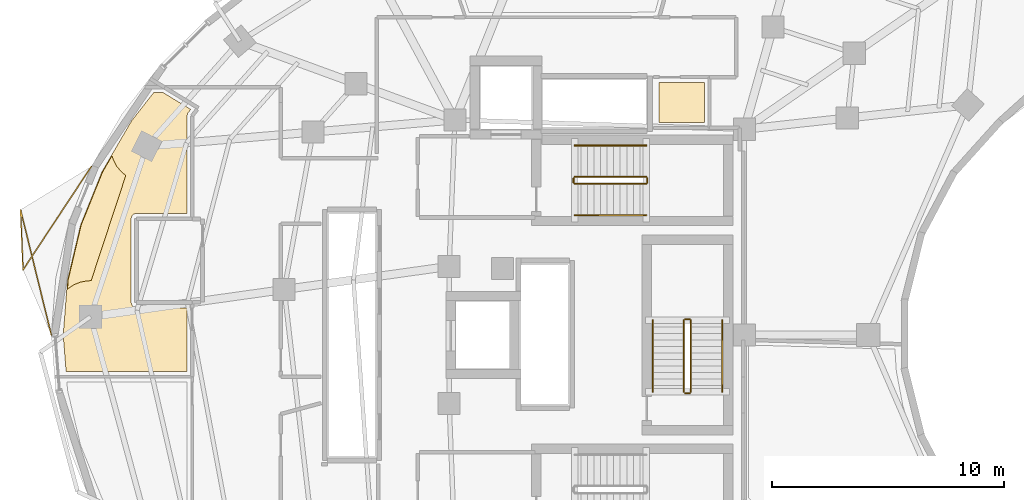
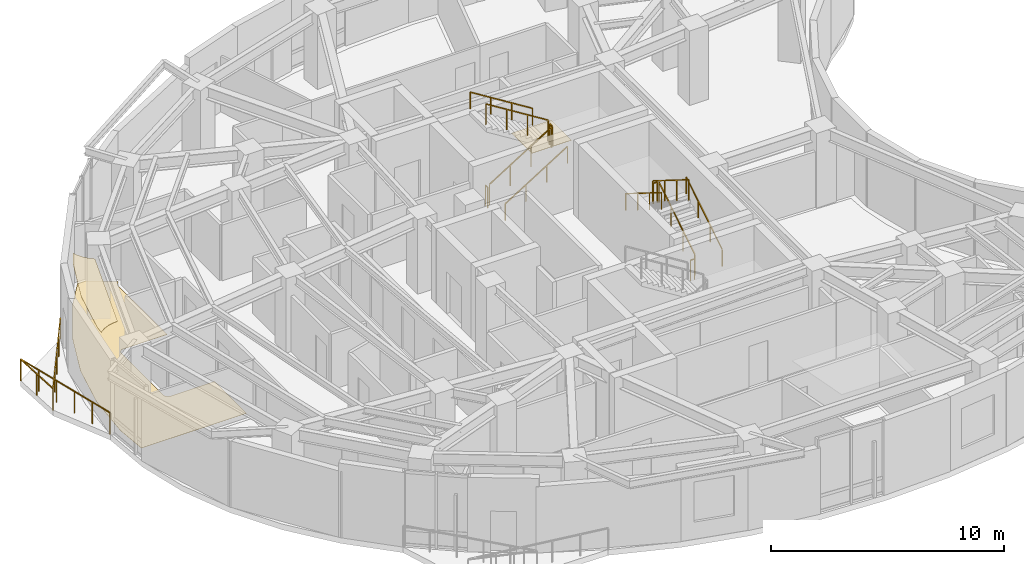
# One storey, part 12 of 13: 13 railings, 3 coverings.
"""IFC4 building model written with IfcOpenShell, lengths in metres."""

from ifc_helpers import new_model, si_unit, direction, frame, origin, origin_2d, place, context, subcontext, project, spatial, polyline, rectangle, outline, extrude, material, layer, layer_set, type_object, element, save


model = new_model("IFC4")

# Units and contexts
model_context = context("Model", 3, precision=1e-05, world=origin(), true_north=direction((0.0, 1.0)))
body_context = subcontext(model_context, "Body", "Model", "MODEL_VIEW")
ifc_project = project(units=[si_unit("LENGTHUNIT", "METRE"), si_unit("AREAUNIT", "SQUARE_METRE"), si_unit("VOLUMEUNIT", "CUBIC_METRE"), si_unit("PLANEANGLEUNIT", "RADIAN"), si_unit("MASSUNIT", "GRAM", prefix="KILO")], contexts=[model_context])

# Site, building, storey
site_placement = place(None, origin())
site = spatial("IfcSite", under=ifc_project, at=site_placement, CompositionType="ELEMENT")
building_placement = place(site_placement, origin())
building = spatial("IfcBuilding", under=site, at=building_placement, Name="Korentha Bioscience Tower", CompositionType="ELEMENT")
storey_placement = place(building_placement, frame((0.0, 0.0, 154.199951171875)))
storey = spatial("IfcBuildingStorey", under=building, at=storey_placement, Name="L35", CompositionType="ELEMENT", Elevation=154.199951171875)

# Covering
ifc_material_1 = material(Name="Vitrified Porcelain Tile", Category="ceramic")
ifc_layer_1 = layer(ifc_material_1, 0.014892578125, Name="Vitrified Porcelain Tile")
ifc_layer_set_1 = layer_set([ifc_layer_1], Name="Vitrified Porcelain Tile (FL-CER)")
covering_type_1 = type_object("IfcCoveringType", Name="Anti-Slip Ceramic Wet-Room Tile Flooring 15", PredefinedType="FLOORING", material=ifc_layer_set_1)
covering_1_placement = place(storey_placement, origin())
element("IfcCovering", 1, at=covering_1_placement, inside=storey, type_object=covering_type_1, Name="L35 Accessible Staff WC Floor Finish", PredefinedType="FLOORING", context=body_context, shape_type="SweptSolid", body=[
    extrude(outline(polyline([(33.8701171875, 36.1298828125), (33.8701171875, 37.8701171875), (35.830078125, 37.8701171875), (35.830078125, 36.1298828125), (33.8701171875, 36.1298828125)])), origin(), (0.0, 0.0, 1.0), 0.01513671875),
])

# Railings
ifc_material_2 = material(Name="Stainless Steel 304", Category="steel")
railing_type_1 = type_object("IfcRailingType", Name="Brushed Stainless Stair Handrail 900", PredefinedType="HANDRAIL", material=ifc_material_2)
railing_1_placement = place(storey_placement, frame((30.25, 32.14990234375, 0.175048828125)))
element("IfcRailing", 2, at=railing_1_placement, inside=storey, type_object=railing_type_1, Name="L35 ST-1 stair handrail 1", PredefinedType="HANDRAIL", context=body_context, shape_type="SweptSolid", body=[
    extrude(rectangle(XDim=0.048095703125, YDim=0.048095703125, at=origin_2d()), frame((0.0, 0.0, 0.8759765625), z_axis=(0.847998304005, 0.0, 0.529998940003), x_axis=(0.0, 1.0, 0.0)), (0.0, 0.0, 1.0), 3.632080078125),
    extrude(rectangle(XDim=0.0419921875, YDim=0.0419921875, at=origin_2d()), origin(), (0.0, 0.0, 1.0), 0.851806640625),
    extrude(rectangle(XDim=0.0419921875, YDim=0.0419921875, at=origin_2d()), frame((1.026611328125, 0.0, 0.6416015625)), (0.0, 0.0, 1.0), 0.851806640625),
    extrude(rectangle(XDim=0.0419921875, YDim=0.0419921875, at=origin_2d()), frame((2.053466796875, 0.0, 1.283447265625)), (0.0, 0.0, 1.0), 0.851806640625),
    extrude(rectangle(XDim=0.0419921875, YDim=0.0419921875, at=origin_2d()), frame((3.080078125, 0.0, 1.925048828125)), (0.0, 0.0, 1.0), 0.851806640625),
])
railing_2_placement = place(storey_placement, frame((33.330078125, 35.14990234375, 2.275146484375)))
element("IfcRailing", 3, at=railing_2_placement, inside=storey, type_object=railing_type_1, Name="L35 ST-1 stair handrail 2", PredefinedType="HANDRAIL", context=body_context, shape_type="SweptSolid", body=[
    extrude(rectangle(XDim=0.048095703125, YDim=0.048095703125, at=origin_2d()), frame((0.0, 0.0, 0.8759765625), z_axis=(-0.848028513186, 0.0, 0.529950602248), x_axis=(0.0, -1.0, 0.0)), (0.0, 0.0, 1.0), 3.632080078125),
    extrude(rectangle(XDim=0.0419921875, YDim=0.0419921875, at=origin_2d()), origin(), (0.0, 0.0, 1.0), 0.851806640625),
    extrude(rectangle(XDim=0.0419921875, YDim=0.0419921875, at=origin_2d()), frame((-1.026611328125, 0.0, 0.6416015625)), (0.0, 0.0, 1.0), 0.851806640625),
    extrude(rectangle(XDim=0.0419921875, YDim=0.0419921875, at=origin_2d()), frame((-2.053466796875, 0.0, 1.283203125)), (0.0, 0.0, 1.0), 0.851806640625),
    extrude(rectangle(XDim=0.0419921875, YDim=0.0419921875, at=origin_2d()), frame((-3.080078125, 0.0, 1.9248046875)), (0.0, 0.0, 1.0), 0.851806640625),
])
railing_3_placement = place(storey_placement, frame((36.60009765625, 24.550048828125, 0.175048828125)))
element("IfcRailing", 4, at=railing_3_placement, inside=storey, type_object=railing_type_1, Name="L35 ST-3 stair handrail 1", PredefinedType="HANDRAIL", context=body_context, shape_type="SweptSolid", body=[
    extrude(rectangle(XDim=0.048095703125, YDim=0.048095703125, at=origin_2d()), frame((0.0, 0.0, 0.8759765625), z_axis=(0.0, 0.847979421464, 0.530029150871), x_axis=(-1.0, 0.0, 0.0)), (0.0, 0.0, 1.0), 3.632080078125),
    extrude(rectangle(XDim=0.0419921875, YDim=0.0419921875, at=origin_2d()), origin(), (0.0, 0.0, 1.0), 0.851806640625),
    extrude(rectangle(XDim=0.0419921875, YDim=0.0419921875, at=origin_2d()), frame((0.0, 1.026611328125, 0.6416015625)), (0.0, 0.0, 1.0), 0.851806640625),
    extrude(rectangle(XDim=0.0419921875, YDim=0.0419921875, at=origin_2d()), frame((0.0, 2.05322265625, 1.283447265625)), (0.0, 0.0, 1.0), 0.851806640625),
    extrude(rectangle(XDim=0.0419921875, YDim=0.0419921875, at=origin_2d()), frame((0.0, 3.079833984375, 1.925048828125)), (0.0, 0.0, 1.0), 0.851806640625),
])
railing_4_placement = place(storey_placement, frame((33.60009765625, 27.6298828125, 2.275146484375)))
element("IfcRailing", 5, at=railing_4_placement, inside=storey, type_object=railing_type_1, Name="L35 ST-3 stair handrail 2", PredefinedType="HANDRAIL", context=body_context, shape_type="SweptSolid", body=[
    extrude(rectangle(XDim=0.048095703125, YDim=0.048095703125, at=origin_2d()), frame((0.0, 0.0, 0.8759765625), z_axis=(0.0, -0.848009633417, 0.529980812513), x_axis=(1.0, 0.0, 0.0)), (0.0, 0.0, 1.0), 3.6318359375),
    extrude(rectangle(XDim=0.0419921875, YDim=0.0419921875, at=origin_2d()), origin(), (0.0, 0.0, 1.0), 0.851806640625),
    extrude(rectangle(XDim=0.0419921875, YDim=0.0419921875, at=origin_2d()), frame((0.0, -1.026611328125, 0.6416015625)), (0.0, 0.0, 1.0), 0.851806640625),
    extrude(rectangle(XDim=0.0419921875, YDim=0.0419921875, at=origin_2d()), frame((0.0, -2.05322265625, 1.283203125)), (0.0, 0.0, 1.0), 0.851806640625),
    extrude(rectangle(XDim=0.0419921875, YDim=0.0419921875, at=origin_2d()), frame((0.0, -3.079833984375, 1.9248046875)), (0.0, 0.0, 1.0), 0.851806640625),
])
ifc_material_3 = material(Name="Laminated Tempered Safety Glass", Category="glass")
railing_type_2 = type_object("IfcRailingType", Name="Laminated Glass Balcony Guardrail 1150", PredefinedType="BALUSTRADE", material=ifc_material_3)
railing_5_placement = place(storey_placement, frame((9.454833984375, 34.246337890625, 0.0)))
element("IfcRailing", 6, at=railing_5_placement, inside=storey, type_object=railing_type_2, Name="L35 Balcony Guardrail 02", PredefinedType="BALUSTRADE", context=body_context, shape_type="SweptSolid", body=[
    extrude(rectangle(XDim=0.048095703125, YDim=0.048095703125, at=origin_2d()), frame((0.0, 0.0, 1.1259765625), z_axis=(-0.550932164864, -0.834550028289, 0.0), x_axis=(0.834550028289, -0.550932164864, 0.0)), (0.0, 0.0, 1.0), 5.3310546875),
    extrude(rectangle(XDim=0.048095703125, YDim=0.048095703125, at=origin_2d()), frame((-2.93701171875, -4.448974609375, 1.1259765625), z_axis=(-0.040615331827, 0.99917485698, 0.0), x_axis=(-0.99917485698, -0.040615331827, 0.0)), (0.0, 0.0, 1.0), 2.5908203125),
    extrude(rectangle(XDim=0.048095703125, YDim=0.048095703125, at=origin_2d()), frame((-3.042236328125, -1.8603515625, 1.1259765625), z_axis=(0.23862888536, -0.971110835627, 0.0), x_axis=(0.971110835627, 0.23862888536, 0.0)), (0.0, 0.0, 1.0), 5.546142578125),
    extrude(rectangle(XDim=0.0419921875, YDim=0.0419921875, at=origin_2d()), origin(), (0.0, 0.0, 1.0), 1.101806640625),
    extrude(rectangle(XDim=0.0419921875, YDim=0.0419921875, at=origin_2d()), frame((-0.734375, -1.1123046875, 0.0)), (0.0, 0.0, 1.0), 1.101806640625),
    extrude(rectangle(XDim=0.0419921875, YDim=0.0419921875, at=origin_2d()), frame((-1.468505859375, -2.224609375, 0.0)), (0.0, 0.0, 1.0), 1.101806640625),
    extrude(rectangle(XDim=0.0419921875, YDim=0.0419921875, at=origin_2d()), frame((-2.20263671875, -3.336669921875, 0.0)), (0.0, 0.0, 1.0), 1.101806640625),
    extrude(rectangle(XDim=0.0419921875, YDim=0.0419921875, at=origin_2d()), frame((-2.93701171875, -4.448974609375, 0.0)), (0.0, 0.0, 1.0), 1.101806640625),
    extrude(rectangle(XDim=0.0419921875, YDim=0.0419921875, at=origin_2d()), frame((-2.98974609375, -3.15478515625, 0.0)), (0.0, 0.0, 1.0), 1.101806640625),
    extrude(rectangle(XDim=0.0419921875, YDim=0.0419921875, at=origin_2d()), frame((-3.042236328125, -1.8603515625, 0.0)), (0.0, 0.0, 1.0), 1.101806640625),
    extrude(rectangle(XDim=0.0419921875, YDim=0.0419921875, at=origin_2d()), frame((-2.777587890625, -2.9375, 0.0)), (0.0, 0.0, 1.0), 1.101806640625),
    extrude(rectangle(XDim=0.0419921875, YDim=0.0419921875, at=origin_2d()), frame((-2.512939453125, -4.0146484375, 0.0)), (0.0, 0.0, 1.0), 1.101806640625),
    extrude(rectangle(XDim=0.0419921875, YDim=0.0419921875, at=origin_2d()), frame((-2.248046875, -5.092041015625, 0.0)), (0.0, 0.0, 1.0), 1.101806640625),
    extrude(rectangle(XDim=0.0419921875, YDim=0.0419921875, at=origin_2d()), frame((-1.9833984375, -6.169189453125, 0.0)), (0.0, 0.0, 1.0), 1.101806640625),
    extrude(rectangle(XDim=0.0419921875, YDim=0.0419921875, at=origin_2d()), frame((-1.71875, -7.246337890625, 0.0)), (0.0, 0.0, 1.0), 1.101806640625),
])

# Covering
ifc_material_4 = material(Name="Antimicrobial Mineral Fibre Board", Category="gypsum")
ifc_layer_2 = layer(ifc_material_4, 0.034912109375, Name="Antimicrobial Mineral Fibre Board")
ifc_layer_set_2 = layer_set([ifc_layer_2], Name="Antimicrobial Mineral Fibre Board (CL-MF35)")
covering_type_2 = type_object("IfcCoveringType", Name="Mineral-Fibre Cleanroom Suspended Ceiling 35", PredefinedType="CEILING", material=ifc_layer_set_2)
covering_2_placement = place(storey_placement, frame((0.0, 0.0, 3.864990234375)))
element("IfcCovering", 7, at=covering_2_placement, inside=storey, type_object=covering_type_2, Name="L35 Researchers' Wellness Quiet Room 11 Acoustic Ceiling", PredefinedType="CEILING", context=body_context, shape_type="SweptSolid", body=[
    extrude(outline(polyline([(10.345947265625, 34.70361328125), (10.40576171875, 34.526123046875), (10.549072265625, 34.25830078125), (10.74169921875, 34.023193359375), (10.939208984375, 33.8583984375), (9.44921875, 29.334716796875), (9.2705078125, 29.328369140625), (8.97265625, 29.269287109375), (8.69189453125, 29.15283203125), (8.4326171875, 28.97802734375), (8.4638671875, 29.37890625), (9.0205078125, 31.7255859375), (9.941162109375, 34.00830078125), (10.345947265625, 34.70361328125)])), origin(), (0.0, 0.0, 1.0), 0.03515625),
])

# Railings
ifc_material_5 = material(Name="Painted Steel S275", Category="steel")
railing_type_3 = type_object("IfcRailingType", Name="Painted Steel Stair Well Guardrail 1100", PredefinedType="GUARDRAIL", material=ifc_material_5)
railing_6_placement = place(storey_placement, frame((30.25, 33.5, 0.175048828125)))
element("IfcRailing", 8, at=railing_6_placement, inside=storey, type_object=railing_type_3, Name="L35 ST-1 stair guard 1", PredefinedType="GUARDRAIL", context=body_context, shape_type="SweptSolid", body=[
    extrude(rectangle(XDim=0.048095703125, YDim=0.048095703125, at=origin_2d()), frame((0.0, 0.0, 1.076171875), z_axis=(0.847998304005, 0.0, 0.529998940003), x_axis=(0.0, 1.0, 0.0)), (0.0, 0.0, 1.0), 3.632080078125),
    extrude(rectangle(XDim=0.0419921875, YDim=0.0419921875, at=origin_2d()), origin(), (0.0, 0.0, 1.0), 1.052001953125),
    extrude(rectangle(XDim=0.0419921875, YDim=0.0419921875, at=origin_2d()), frame((1.026611328125, 0.0, 0.6416015625)), (0.0, 0.0, 1.0), 1.052001953125),
    extrude(rectangle(XDim=0.0419921875, YDim=0.0419921875, at=origin_2d()), frame((2.053466796875, 0.0, 1.283447265625)), (0.0, 0.0, 1.0), 1.052001953125),
    extrude(rectangle(XDim=0.0419921875, YDim=0.0419921875, at=origin_2d()), frame((3.080078125, 0.0, 1.925048828125)), (0.0, 0.0, 1.0), 1.052001953125),
])
railing_7_placement = place(storey_placement, frame((33.3798828125, 33.550048828125, 2.10009765625)))
element("IfcRailing", 9, at=railing_7_placement, inside=storey, type_object=railing_type_3, Name="L35 ST-1 stair guard 2", PredefinedType="GUARDRAIL", context=body_context, shape_type="SweptSolid", body=[
    extrude(rectangle(XDim=0.048095703125, YDim=0.048095703125, at=origin_2d()), frame((0.0, 0.0, 1.076171875), z_axis=(0.0, 1.0, 0.0), x_axis=(-1.0, 0.0, 0.0)), (0.0, 0.0, 1.0), 0.199951171875),
    extrude(rectangle(XDim=0.0419921875, YDim=0.0419921875, at=origin_2d()), origin(), (0.0, 0.0, 1.0), 1.052001953125),
    extrude(rectangle(XDim=0.0419921875, YDim=0.0419921875, at=origin_2d()), frame((0.0, 0.199951171875, 0.0)), (0.0, 0.0, 1.0), 1.052001953125),
])
railing_8_placement = place(storey_placement, frame((33.330078125, 33.800048828125, 2.275146484375)))
element("IfcRailing", 10, at=railing_8_placement, inside=storey, type_object=railing_type_3, Name="L35 ST-1 stair guard 3", PredefinedType="GUARDRAIL", context=body_context, shape_type="SweptSolid", body=[
    extrude(rectangle(XDim=0.048095703125, YDim=0.048095703125, at=origin_2d()), frame((0.0, 0.0, 1.076171875), z_axis=(-0.848028513186, 0.0, 0.529950602248), x_axis=(0.0, -1.0, 0.0)), (0.0, 0.0, 1.0), 3.632080078125),
    extrude(rectangle(XDim=0.0419921875, YDim=0.0419921875, at=origin_2d()), origin(), (0.0, 0.0, 1.0), 1.052001953125),
    extrude(rectangle(XDim=0.0419921875, YDim=0.0419921875, at=origin_2d()), frame((-1.026611328125, 0.0, 0.6416015625)), (0.0, 0.0, 1.0), 1.052001953125),
    extrude(rectangle(XDim=0.0419921875, YDim=0.0419921875, at=origin_2d()), frame((-2.053466796875, 0.0, 1.283203125)), (0.0, 0.0, 1.0), 1.052001953125),
    extrude(rectangle(XDim=0.0419921875, YDim=0.0419921875, at=origin_2d()), frame((-3.080078125, 0.0, 1.9248046875)), (0.0, 0.0, 1.0), 1.052001953125),
])
railing_9_placement = place(storey_placement, frame((30.199951171875, 33.550048828125, 0.0)))
element("IfcRailing", 11, at=railing_9_placement, inside=storey, type_object=railing_type_3, Name="L35 ST-1 stair guard 4", PredefinedType="GUARDRAIL", context=body_context, shape_type="SweptSolid", body=[
    extrude(rectangle(XDim=0.048095703125, YDim=0.048095703125, at=origin_2d()), frame((0.0, 0.0, 1.076171875), z_axis=(0.0, 1.0, 0.0), x_axis=(-1.0, 0.0, 0.0)), (0.0, 0.0, 1.0), 0.199951171875),
    extrude(rectangle(XDim=0.0419921875, YDim=0.0419921875, at=origin_2d()), origin(), (0.0, 0.0, 1.0), 1.052001953125),
    extrude(rectangle(XDim=0.0419921875, YDim=0.0419921875, at=origin_2d()), frame((0.0, 0.199951171875, 0.0)), (0.0, 0.0, 1.0), 1.052001953125),
])
railing_10_placement = place(storey_placement, frame((35.25, 24.550048828125, 0.175048828125)))
element("IfcRailing", 12, at=railing_10_placement, inside=storey, type_object=railing_type_3, Name="L35 ST-3 stair guard 1", PredefinedType="GUARDRAIL", context=body_context, shape_type="SweptSolid", body=[
    extrude(rectangle(XDim=0.048095703125, YDim=0.048095703125, at=origin_2d()), frame((0.0, 0.0, 1.076171875), z_axis=(0.0, 0.847979421464, 0.530029150871), x_axis=(-1.0, 0.0, 0.0)), (0.0, 0.0, 1.0), 3.632080078125),
    extrude(rectangle(XDim=0.0419921875, YDim=0.0419921875, at=origin_2d()), origin(), (0.0, 0.0, 1.0), 1.052001953125),
    extrude(rectangle(XDim=0.0419921875, YDim=0.0419921875, at=origin_2d()), frame((0.0, 1.026611328125, 0.6416015625)), (0.0, 0.0, 1.0), 1.052001953125),
    extrude(rectangle(XDim=0.0419921875, YDim=0.0419921875, at=origin_2d()), frame((0.0, 2.05322265625, 1.283447265625)), (0.0, 0.0, 1.0), 1.052001953125),
    extrude(rectangle(XDim=0.0419921875, YDim=0.0419921875, at=origin_2d()), frame((0.0, 3.079833984375, 1.925048828125)), (0.0, 0.0, 1.0), 1.052001953125),
])
railing_11_placement = place(storey_placement, frame((35.199951171875, 27.679931640625, 2.10009765625)))
element("IfcRailing", 13, at=railing_11_placement, inside=storey, type_object=railing_type_3, Name="L35 ST-3 stair guard 2", PredefinedType="GUARDRAIL", context=body_context, shape_type="SweptSolid", body=[
    extrude(rectangle(XDim=0.048095703125, YDim=0.048095703125, at=origin_2d()), frame((0.0, 0.0, 1.076171875), z_axis=(-1.0, 0.0, 0.0), x_axis=(0.0, -1.0, 0.0)), (0.0, 0.0, 1.0), 0.199951171875),
    extrude(rectangle(XDim=0.0419921875, YDim=0.0419921875, at=origin_2d()), origin(), (0.0, 0.0, 1.0), 1.052001953125),
    extrude(rectangle(XDim=0.0419921875, YDim=0.0419921875, at=origin_2d()), frame((-0.199951171875, 0.0, 0.0)), (0.0, 0.0, 1.0), 1.052001953125),
])
railing_12_placement = place(storey_placement, frame((34.949951171875, 27.6298828125, 2.275146484375)))
element("IfcRailing", 14, at=railing_12_placement, inside=storey, type_object=railing_type_3, Name="L35 ST-3 stair guard 3", PredefinedType="GUARDRAIL", context=body_context, shape_type="SweptSolid", body=[
    extrude(rectangle(XDim=0.048095703125, YDim=0.048095703125, at=origin_2d()), frame((0.0, 0.0, 1.076171875), z_axis=(0.0, -0.848009633417, 0.529980812513), x_axis=(1.0, 0.0, 0.0)), (0.0, 0.0, 1.0), 3.6318359375),
    extrude(rectangle(XDim=0.0419921875, YDim=0.0419921875, at=origin_2d()), origin(), (0.0, 0.0, 1.0), 1.052001953125),
    extrude(rectangle(XDim=0.0419921875, YDim=0.0419921875, at=origin_2d()), frame((0.0, -1.026611328125, 0.6416015625)), (0.0, 0.0, 1.0), 1.052001953125),
    extrude(rectangle(XDim=0.0419921875, YDim=0.0419921875, at=origin_2d()), frame((0.0, -2.05322265625, 1.283203125)), (0.0, 0.0, 1.0), 1.052001953125),
    extrude(rectangle(XDim=0.0419921875, YDim=0.0419921875, at=origin_2d()), frame((0.0, -3.079833984375, 1.9248046875)), (0.0, 0.0, 1.0), 1.052001953125),
])
railing_13_placement = place(storey_placement, frame((35.199951171875, 24.5, 0.0)))
element("IfcRailing", 15, at=railing_13_placement, inside=storey, type_object=railing_type_3, Name="L35 ST-3 stair guard 4", PredefinedType="GUARDRAIL", context=body_context, shape_type="SweptSolid", body=[
    extrude(rectangle(XDim=0.048095703125, YDim=0.048095703125, at=origin_2d()), frame((0.0, 0.0, 1.076171875), z_axis=(-1.0, 0.0, 0.0), x_axis=(0.0, -1.0, 0.0)), (0.0, 0.0, 1.0), 0.199951171875),
    extrude(rectangle(XDim=0.0419921875, YDim=0.0419921875, at=origin_2d()), origin(), (0.0, 0.0, 1.0), 1.052001953125),
    extrude(rectangle(XDim=0.0419921875, YDim=0.0419921875, at=origin_2d()), frame((-0.199951171875, 0.0, 0.0)), (0.0, 0.0, 1.0), 1.052001953125),
])

# Covering
ifc_material_6 = material(Name="Chemical-Resistant Epoxy Resin", Category="polymer")
ifc_layer_3 = layer(ifc_material_6, 0.011962890625, Name="Chemical-Resistant Epoxy Resin")
ifc_layer_set_3 = layer_set([ifc_layer_3], Name="Chemical-Resistant Epoxy Resin (FL-EPX)")
covering_type_3 = type_object("IfcCoveringType", Name="Seamless Epoxy Laboratory Flooring 12", PredefinedType="FLOORING", material=ifc_layer_set_3)
covering_3_placement = place(storey_placement, origin())
element("IfcCovering", 16, at=covering_3_placement, inside=storey, type_object=covering_type_3, Name="L35 Researchers' Wellness Quiet Room 11 Floor Finish", PredefinedType="FLOORING", context=body_context, shape_type="SweptSolid", body=[
    extrude(outline(polyline([(8.991943359375, 31.734619140625), (9.9140625, 34.021484375), (11.189208984375, 36.211669921875), (12.140380859375, 37.427978515625), (12.5419921875, 37.427978515625), (13.732421875, 36.704345703125), (13.600830078125, 36.532470703125), (13.5703125, 36.427734375), (13.570068359375, 32.22998046875), (11.38818359375, 32.229736328125), (11.302001953125, 32.2080078125), (11.22998046875, 32.15478515625), (11.18359375, 32.077880859375), (11.169921875, 32.0), (11.169921875, 28.39990234375), (11.18359375, 28.322021484375), (11.263427734375, 28.215087890625), (11.38818359375, 28.17041015625), (13.570068359375, 28.169921875), (13.570068359375, 25.427978515625), (8.371337890625, 25.427978515625), (8.24755859375, 27.0), (8.43408203125, 29.383544921875), (8.991943359375, 31.734619140625)])), origin(), (0.0, 0.0, 1.0), 0.011962890625),
])

save(model, "model.ifc")
